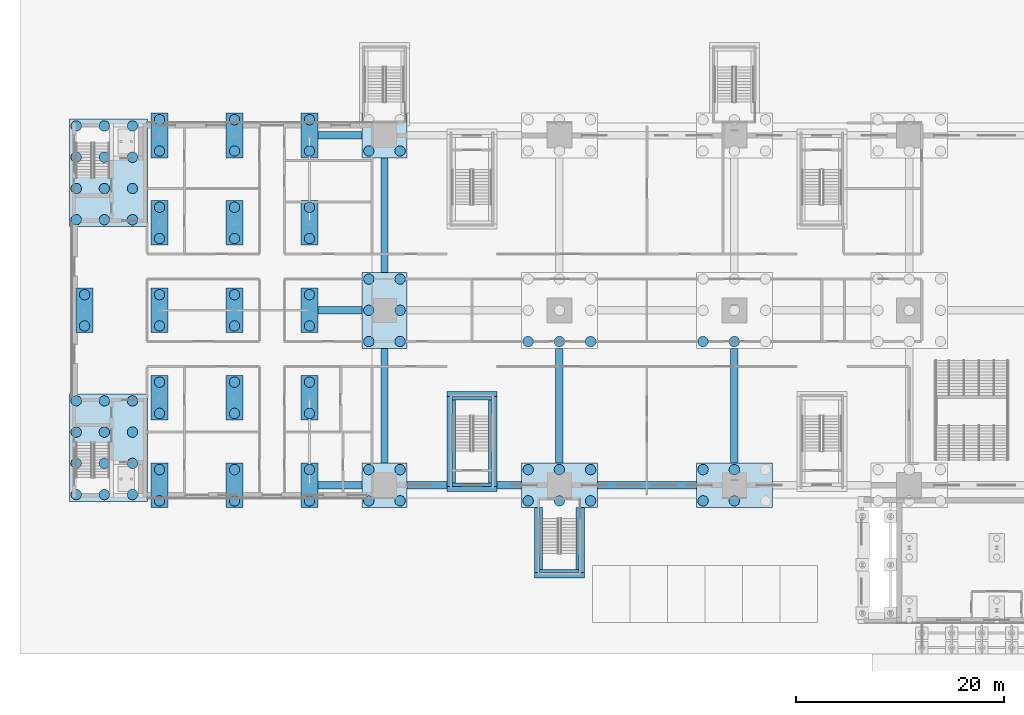
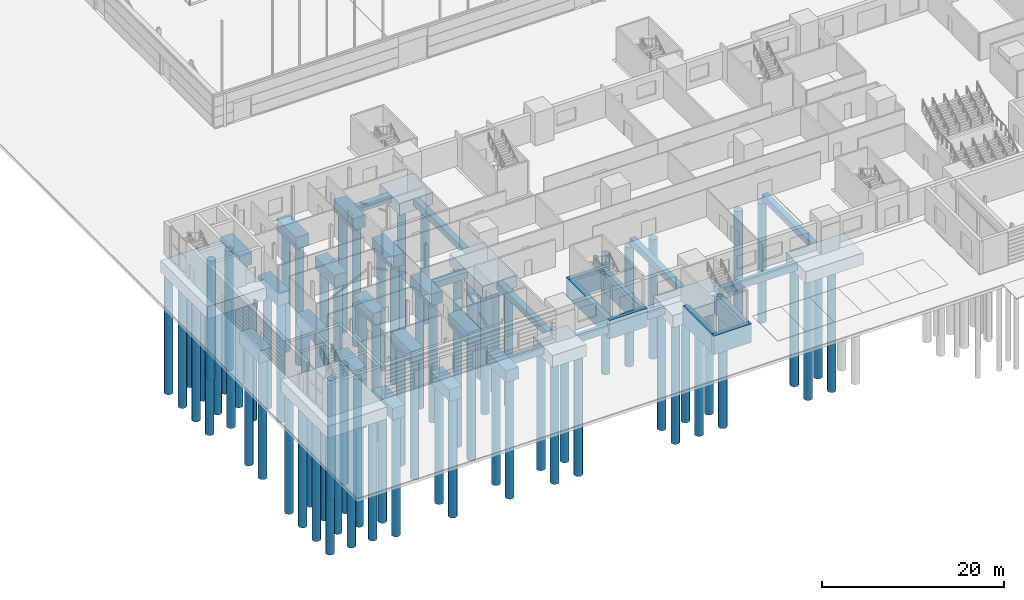
# One storey, part 1 of 139: 83 piles, 47 footings.
"""IFC4 building model written with IfcOpenShell, lengths in metres."""

from ifc_helpers import new_model, si_unit, direction, frame, origin, origin_2d, place, context, subcontext, project, spatial, polyline, rectangle, circle, outline, extrude, material, layer, layer_set, material_profile, profile_set, type_object, element, save


model = new_model("IFC4")

# Units and contexts
model_context = context("Model", 3, precision=1e-05, world=origin(), true_north=direction((0.0, 1.0)))
body_context = subcontext(model_context, "Body", "Model", "MODEL_VIEW")
ifc_project = project(units=[si_unit("LENGTHUNIT", "METRE"), si_unit("AREAUNIT", "SQUARE_METRE"), si_unit("VOLUMEUNIT", "CUBIC_METRE"), si_unit("PLANEANGLEUNIT", "RADIAN"), si_unit("MASSUNIT", "GRAM", prefix="KILO")], contexts=[model_context])

# Site, building, storey
site_placement = place(None, origin())
site = spatial("IfcSite", under=ifc_project, at=site_placement, CompositionType="ELEMENT")
building_placement = place(site_placement, origin())
building = spatial("IfcBuilding", under=site, at=building_placement, Name="Verrick Yard Athletic Hall", CompositionType="ELEMENT")
storey_placement = place(building_placement, origin())
storey = spatial("IfcBuildingStorey", under=building, at=storey_placement, Name="L00", CompositionType="ELEMENT", Elevation=0.0)

# Piles
ifc_material = material(Name="Concrete 35 MPa", Category="concrete")
pile_type = type_object("IfcPileType", Name="STR Bored pile 1000", PredefinedType="BORED", material=ifc_material)
for number, where, z_axis, x_axis, name in (
    (1, (38.5, 17.699951171875, -2.39990234375), (0.0, 0.0, -1.0), (1.0, 0.0, 0.0), "STR-PC-P1A-PL1"),
    (2, (41.5, 17.699951171875, -2.39990234375), (0.0, 0.0, -1.0), (1.0, 0.0, 0.0), "STR-PC-P1A-PL2"),
    (3, (38.5, 20.699951171875, -2.39990234375), (0.0, 0.0, -1.0), (1.0, 0.0, 0.0), "STR-PC-P1A-PL3"),
    (4, (41.5, 20.699951171875, -2.39990234375), (0.0, 0.0, -1.0), (1.0, 0.0, 0.0), "STR-PC-P1A-PL4"),
    (5, (38.5, 33.0, -2.39990234375), (0.0, 0.0, -1.0), (1.0, 0.0, 0.0), "STR-PC-P1B-PL1"),
    (6, (41.5, 33.0, -2.39990234375), (0.0, 0.0, -1.0), (1.0, 0.0, 0.0), "STR-PC-P1B-PL2"),
    (7, (38.5, 36.0, -2.39990234375), (0.0, 0.0, -1.0), (1.0, 0.0, 0.0), "STR-PC-P1B-PL3"),
    (8, (41.5, 36.0, -2.39990234375), (0.0, 0.0, -1.0), (1.0, 0.0, 0.0), "STR-PC-P1B-PL4"),
    (9, (38.5, 39.0, -2.39990234375), (0.0, 0.0, -1.0), (1.0, 0.0, 0.0), "STR-PC-P1B-PL5"),
    (10, (41.5, 39.0, -2.39990234375), (0.0, 0.0, -1.0), (1.0, 0.0, 0.0), "STR-PC-P1B-PL6"),
    (11, (38.5, 51.300048828125, -2.39990234375), (0.0, 0.0, -1.0), (1.0, 0.0, 0.0), "STR-PC-P1C-PL1"),
    (12, (41.5, 51.300048828125, -2.39990234375), (0.0, 0.0, -1.0), (1.0, 0.0, 0.0), "STR-PC-P1C-PL2"),
    (13, (53.800048828125, 17.699951171875, -2.39990234375), (0.0, 0.0, -1.0), (1.0, 0.0, 0.0), "STR-PC-P2A-PL1"),
    (14, (56.800048828125, 17.699951171875, -2.39990234375), (0.0, 0.0, -1.0), (1.0, 0.0, 0.0), "STR-PC-P2A-PL2"),
    (15, (59.800048828125, 17.699951171875, -2.39990234375), (0.0, 0.0, -1.0), (1.0, 0.0, 0.0), "STR-PC-P2A-PL3"),
    (16, (53.800048828125, 20.699951171875, -2.39990234375), (0.0, 0.0, -1.0), (1.0, 0.0, 0.0), "STR-PC-P2A-PL4"),
    (17, (56.800048828125, 20.699951171875, -2.39990234375), (0.0, 0.0, -1.0), (1.0, 0.0, 0.0), "STR-PC-P2A-PL5"),
    (18, (59.800048828125, 20.699951171875, -2.39990234375), (0.0, 0.0, -1.0), (1.0, 0.0, 0.0), "STR-PC-P2A-PL6"),
    (19, (53.800048828125, 33.0, -2.39990234375), (0.0, 0.0, -1.0), (1.0, 0.0, 0.0), "STR-PC-P2B-PL1"),
    (20, (56.800048828125, 33.0, -2.39990234375), (0.0, 0.0, -1.0), (1.0, 0.0, 0.0), "STR-PC-P2B-PL2"),
    (21, (59.800048828125, 33.0, -2.39990234375), (0.0, 0.0, -1.0), (1.0, 0.0, 0.0), "STR-PC-P2B-PL3"),
    (22, (70.60009765625, 17.699951171875, -2.39990234375), (0.0, 0.0, -1.0), (1.0, 0.0, 0.0), "STR-PC-P3A-PL1"),
    (23, (73.60009765625, 17.699951171875, -2.39990234375), (0.0, 0.0, -1.0), (1.0, 0.0, 0.0), "STR-PC-P3A-PL2"),
    (24, (70.60009765625, 20.699951171875, -2.39990234375), (0.0, 0.0, -1.0), (1.0, 0.0, 0.0), "STR-PC-P3A-PL4"),
    (25, (73.60009765625, 20.699951171875, -2.39990234375), (0.0, 0.0, -1.0), (1.0, 0.0, 0.0), "STR-PC-P3A-PL5"),
    (26, (70.60009765625, 33.0, -2.39990234375), (0.0, 0.0, -1.0), (1.0, 0.0, 0.0), "STR-PC-P3B-PL1"),
    (27, (73.60009765625, 33.0, -2.39990234375), (0.0, 0.0, -1.0), (1.0, 0.0, 0.0), "STR-PC-P3B-PL2"),
    (28, (10.39990234375, 18.300048828125, -2.39990234375), (0.0, 0.0, -1.0), (1.0, 0.0, 0.0), "STR-PC-CB1-PL1"),
    (29, (13.10009765625, 18.300048828125, -2.39990234375), (0.0, 0.0, -1.0), (1.0, 0.0, 0.0), "STR-PC-CB1-PL2"),
    (30, (15.800048828125, 18.300048828125, -2.39990234375), (0.0, 0.0, -1.0), (1.0, 0.0, 0.0), "STR-PC-CB1-PL3"),
    (31, (10.39990234375, 21.300048828125, -2.39990234375), (0.0, 0.0, -1.0), (1.0, 0.0, 0.0), "STR-PC-CB1-PL4"),
    (32, (13.10009765625, 21.300048828125, -2.39990234375), (0.0, 0.0, -1.0), (1.0, 0.0, 0.0), "STR-PC-CB1-PL5"),
    (33, (15.800048828125, 21.300048828125, -2.39990234375), (0.0, 0.0, -1.0), (1.0, 0.0, 0.0), "STR-PC-CB1-PL6"),
    (34, (10.39990234375, 24.300048828125, -2.39990234375), (0.0, 0.0, -1.0), (1.0, 0.0, 0.0), "STR-PC-CB1-PL7"),
    (35, (13.10009765625, 24.300048828125, -2.39990234375), (0.0, 0.0, -1.0), (1.0, 0.0, 0.0), "STR-PC-CB1-PL8"),
    (36, (15.800048828125, 24.300048828125, -2.39990234375), (0.0, 0.0, -1.0), (1.0, 0.0, 0.0), "STR-PC-CB1-PL9"),
    (37, (10.39990234375, 27.300048828125, -2.39990234375), (0.0, 0.0, -1.0), (1.0, 0.0, 0.0), "STR-PC-CB1-PL10"),
    (38, (13.10009765625, 27.300048828125, -2.39990234375), (0.0, 0.0, -1.0), (1.0, 0.0, 0.0), "STR-PC-CB1-PL11"),
    (39, (15.800048828125, 27.300048828125, -2.39990234375), (0.0, 0.0, -1.0), (1.0, 0.0, 0.0), "STR-PC-CB1-PL12"),
    (40, (10.39990234375, 44.699951171875, -2.39990234375), (0.0, 0.0, -1.0), (1.0, 0.0, 0.0), "STR-PC-CB2-PL1"),
    (41, (13.10009765625, 44.699951171875, -2.39990234375), (0.0, 0.0, -1.0), (1.0, 0.0, 0.0), "STR-PC-CB2-PL2"),
    (42, (15.800048828125, 44.699951171875, -2.39990234375), (0.0, 0.0, -1.0), (1.0, 0.0, 0.0), "STR-PC-CB2-PL3"),
    (43, (10.39990234375, 47.699951171875, -2.39990234375), (0.0, 0.0, -1.0), (1.0, 0.0, 0.0), "STR-PC-CB2-PL4"),
    (44, (13.10009765625, 47.699951171875, -2.39990234375), (0.0, 0.0, -1.0), (1.0, 0.0, 0.0), "STR-PC-CB2-PL5"),
    (45, (15.800048828125, 47.699951171875, -2.39990234375), (0.0, 0.0, -1.0), (1.0, 0.0, 0.0), "STR-PC-CB2-PL6"),
    (46, (10.39990234375, 50.699951171875, -2.39990234375), (0.0, 0.0, -1.0), (1.0, 0.0, 0.0), "STR-PC-CB2-PL7"),
    (47, (13.10009765625, 50.699951171875, -2.39990234375), (0.0, 0.0, -1.0), (1.0, 0.0, 0.0), "STR-PC-CB2-PL8"),
    (48, (15.800048828125, 50.699951171875, -2.39990234375), (0.0, 0.0, -1.0), (1.0, 0.0, 0.0), "STR-PC-CB2-PL9"),
    (49, (10.39990234375, 53.699951171875, -2.39990234375), (0.0, 0.0, -1.0), (1.0, 0.0, 0.0), "STR-PC-CB2-PL10"),
    (50, (13.10009765625, 53.699951171875, -2.39990234375), (0.0, 0.0, -1.0), (1.0, 0.0, 0.0), "STR-PC-CB2-PL11"),
    (51, (15.800048828125, 53.699951171875, -2.39990234375), (0.0, 0.0, -1.0), (1.0, 0.0, 0.0), "STR-PC-CB2-PL12"),
    (52, (11.199951171875, 34.5, -2.39990234375), (0.0, 0.0, -1.0), (1.0, 0.0, 0.0), "STR-PC-WC13-PL1"),
    (53, (11.199951171875, 37.5, -2.39990234375), (0.0, 0.0, -1.0), (1.0, 0.0, 0.0), "STR-PC-WC13-PL2"),
    (54, (18.39990234375, 17.699951171875, -2.39990234375), (0.0, 0.0, -1.0), (1.0, 0.0, 0.0), "STR-PC-WC21-PL1"),
    (55, (18.39990234375, 20.699951171875, -2.39990234375), (0.0, 0.0, -1.0), (1.0, 0.0, 0.0), "STR-PC-WC21-PL2"),
    (56, (18.39990234375, 26.10009765625, -2.39990234375), (0.0, 0.0, -1.0), (1.0, 0.0, 0.0), "STR-PC-WC22-PL1"),
    (57, (18.39990234375, 29.10009765625, -2.39990234375), (0.0, 0.0, -1.0), (1.0, 0.0, 0.0), "STR-PC-WC22-PL2"),
    (58, (18.39990234375, 34.5, -2.39990234375), (0.0, 0.0, -1.0), (1.0, 0.0, 0.0), "STR-PC-WC23-PL1"),
    (59, (18.39990234375, 37.5, -2.39990234375), (0.0, 0.0, -1.0), (1.0, 0.0, 0.0), "STR-PC-WC23-PL2"),
    (60, (18.39990234375, 42.89990234375, -2.39990234375), (0.0, 0.0, -1.0), (1.0, 0.0, 0.0), "STR-PC-WC24-PL1"),
    (61, (18.39990234375, 45.89990234375, -2.39990234375), (0.0, 0.0, -1.0), (1.0, 0.0, 0.0), "STR-PC-WC24-PL2"),
    (62, (18.39990234375, 51.300048828125, -2.39990234375), (0.0, 0.0, -1.0), (1.0, 0.0, 0.0), "STR-PC-WC25-PL1"),
    (63, (18.39990234375, 54.300048828125, -2.39990234375), (0.0, 0.0, -1.0), (1.0, 0.0, 0.0), "STR-PC-WC25-PL2"),
    (64, (25.60009765625, 17.699951171875, -2.39990234375), (0.0, 0.0, -1.0), (1.0, 0.0, 0.0), "STR-PC-WC31-PL1"),
    (65, (25.60009765625, 20.699951171875, -2.39990234375), (0.0, 0.0, -1.0), (1.0, 0.0, 0.0), "STR-PC-WC31-PL2"),
    (66, (25.60009765625, 26.10009765625, -2.39990234375), (0.0, 0.0, -1.0), (1.0, 0.0, 0.0), "STR-PC-WC32-PL1"),
    (67, (25.60009765625, 29.10009765625, -2.39990234375), (0.0, 0.0, -1.0), (1.0, 0.0, 0.0), "STR-PC-WC32-PL2"),
    (68, (25.60009765625, 34.5, -2.39990234375), (0.0, 0.0, -1.0), (1.0, 0.0, 0.0), "STR-PC-WC33-PL1"),
    (69, (25.60009765625, 37.5, -2.39990234375), (0.0, 0.0, -1.0), (1.0, 0.0, 0.0), "STR-PC-WC33-PL2"),
    (70, (25.60009765625, 42.89990234375, -2.39990234375), (0.0, 0.0, -1.0), (1.0, 0.0, 0.0), "STR-PC-WC34-PL1"),
    (71, (25.60009765625, 45.89990234375, -2.39990234375), (0.0, 0.0, -1.0), (1.0, 0.0, 0.0), "STR-PC-WC34-PL2"),
    (72, (25.60009765625, 51.300048828125, -2.39990234375), (0.0, 0.0, -1.0), (1.0, 0.0, 0.0), "STR-PC-WC35-PL1"),
    (73, (25.60009765625, 54.300048828125, -2.39990234375), (0.0, 0.0, -1.0), (1.0, 0.0, 0.0), "STR-PC-WC35-PL2"),
    (74, (32.800048828125, 17.699951171875, -2.39990234375), (0.0, 0.0, -1.0), (1.0, 0.0, 0.0), "STR-PC-WC41-PL1"),
    (75, (32.800048828125, 20.699951171875, -2.39990234375), (0.0, 0.0, -1.0), (1.0, 0.0, 0.0), "STR-PC-WC41-PL2"),
    (76, (32.800048828125, 26.10009765625, -2.39990234375), (0.0, 0.0, -1.0), (1.0, 0.0, 0.0), "STR-PC-WC42-PL1"),
    (77, (32.800048828125, 29.10009765625, -2.39990234375), (0.0, 0.0, -1.0), (1.0, 0.0, 0.0), "STR-PC-WC42-PL2"),
    (78, (32.800048828125, 34.5, -2.39990234375), (0.0, 0.0, -1.0), (1.0, 0.0, 0.0), "STR-PC-WC43-PL1"),
    (79, (32.800048828125, 37.5, -2.39990234375), (0.0, 0.0, -1.0), (1.0, 0.0, 0.0), "STR-PC-WC43-PL2"),
    (80, (32.800048828125, 42.89990234375, -2.39990234375), (0.0, 0.0, -1.0), (1.0, 0.0, 0.0), "STR-PC-WC44-PL1"),
    (81, (32.800048828125, 45.89990234375, -2.39990234375), (0.0, 0.0, -1.0), (1.0, 0.0, 0.0), "STR-PC-WC44-PL2"),
    (82, (32.800048828125, 51.300048828125, -2.39990234375), (0.0, 0.0, -1.0), (1.0, 0.0, 0.0), "STR-PC-WC45-PL1"),
    (83, (32.800048828125, 54.300048828125, -2.39990234375), (0.0, 0.0, -1.0), (1.0, 0.0, 0.0), "STR-PC-WC45-PL2"),
):
    element("IfcPile", number, at=place(storey_placement, frame(where, z_axis=z_axis, x_axis=x_axis)), inside=storey, type_object=pile_type, Name=name, PredefinedType="BORED", context=body_context, shape_type="SweptSolid", body=[
        extrude(circle(Radius=0.5, at=origin_2d()), origin(), (0.0, 0.0, 1.0), 16.0),
    ])

# Footings
ifc_material_profile_1 = material_profile(ifc_material, rectangle(XDim=0.699951171875, YDim=0.89990234375, at=origin_2d()), Name="STR Grade beam F1")
ifc_profile_set_1 = profile_set([ifc_material_profile_1], Name="Concrete 35 MPa")
footing_type_1 = type_object("IfcFootingType", Name="STR Grade beam F1", PredefinedType="FOOTING_BEAM", material=ifc_profile_set_1)
footing_1_placement = place(storey_placement, frame((42.14990234375, 19.199951171875, -1.35009765625), z_axis=(1.0, 0.0, 0.0), x_axis=(0.0, 1.0, 0.0)))
element("IfcFooting", 84, at=footing_1_placement, inside=storey, type_object=footing_type_1, Name="STR-GB-XP1A", PredefinedType="FOOTING_BEAM", context=body_context, shape_type="SweptSolid", body=[
    extrude(rectangle(XDim=0.699951171875, YDim=0.89990234375, at=origin_2d()), origin(), (0.0, 0.0, 1.0), 3.85009765625),
])
footing_2_placement = place(storey_placement, frame((50.800048828125, 19.199951171875, -1.35009765625), z_axis=(1.0, 0.0, 0.0), x_axis=(0.0, 1.0, 0.0)))
element("IfcFooting", 85, at=footing_2_placement, inside=storey, type_object=footing_type_1, Name="STR-GB-XP1A-2", PredefinedType="FOOTING_BEAM", context=body_context, shape_type="SweptSolid", body=[
    extrude(rectangle(XDim=0.699951171875, YDim=0.89990234375, at=origin_2d()), origin(), (0.0, 0.0, 1.0), 2.349853515625),
])
footing_3_placement = place(storey_placement, frame((60.449951171875, 19.199951171875, -1.35009765625), z_axis=(1.0, 0.0, 0.0), x_axis=(0.0, 1.0, 0.0)))
element("IfcFooting", 86, at=footing_3_placement, inside=storey, type_object=footing_type_1, Name="STR-GB-XP2A", PredefinedType="FOOTING_BEAM", context=body_context, shape_type="SweptSolid", body=[
    extrude(rectangle(XDim=0.699951171875, YDim=0.89990234375, at=origin_2d()), origin(), (0.0, 0.0, 1.0), 9.5),
])
for number, where, z_axis, x_axis, name in (
    (87, (40.0, 21.35009765625, -1.35009765625), (0.0, 1.0, 0.0), (-1.0, 0.0, 0.0), "STR-GB-YP1A"),
    (88, (40.0, 39.64990234375, -1.35009765625), (0.0, 1.0, 0.0), (-1.0, 0.0, 0.0), "STR-GB-YP1B"),
    (89, (56.800048828125, 21.35009765625, -1.35009765625), (0.0, 1.0, 0.0), (-1.0, 0.0, 0.0), "STR-GB-YP2A"),
    (90, (73.60009765625, 21.35009765625, -1.35009765625), (0.0, 1.0, 0.0), (-1.0, 0.0, 0.0), "STR-GB-YP3A"),
):
    element("IfcFooting", number, at=place(storey_placement, frame(where, z_axis=z_axis, x_axis=x_axis)), inside=storey, type_object=footing_type_1, Name=name, PredefinedType="FOOTING_BEAM", context=body_context, shape_type="SweptSolid", body=[
        extrude(rectangle(XDim=0.699951171875, YDim=0.89990234375, at=origin_2d()), origin(), (0.0, 0.0, 1.0), 11.0),
    ])
for number, where, z_axis, x_axis, name in (
    (91, (33.60009765625, 19.199951171875, -1.35009765625), (1.0, 0.0, 0.0), (0.0, 1.0, 0.0), "STR-GB-WWC41"),
    (92, (33.60009765625, 36.0, -1.35009765625), (1.0, 0.0, 0.0), (0.0, 1.0, 0.0), "STR-GB-WWC43"),
    (93, (33.60009765625, 52.800048828125, -1.35009765625), (1.0, 0.0, 0.0), (0.0, 1.0, 0.0), "STR-GB-WWC45"),
):
    element("IfcFooting", number, at=place(storey_placement, frame(where, z_axis=z_axis, x_axis=x_axis)), inside=storey, type_object=footing_type_1, Name=name, PredefinedType="FOOTING_BEAM", context=body_context, shape_type="SweptSolid", body=[
        extrude(rectangle(XDim=0.699951171875, YDim=0.89990234375, at=origin_2d()), origin(), (0.0, 0.0, 1.0), 4.25),
    ])
ifc_layer_1 = layer(ifc_material, 1.60009765625)
ifc_layer_set_1 = layer_set([ifc_layer_1], Name="STR Pile cap corner PC3")
footing_type_2 = type_object("IfcFootingType", Name="STR Pile cap corner PC3", PredefinedType="PILE_CAP", material=ifc_layer_set_1)
footing_4_placement = place(storey_placement, frame((0.0, 0.0, -2.5)))
element("IfcFooting", 94, at=footing_4_placement, inside=storey, type_object=footing_type_2, Name="STR-PC-P1A", PredefinedType="PILE_CAP", context=body_context, shape_type="SweptSolid", body=[
    extrude(outline(polyline([(37.85009765625, 17.050048828125), (42.14990234375, 17.050048828125), (42.14990234375, 21.35009765625), (37.85009765625, 21.35009765625), (37.85009765625, 17.050048828125)])), origin(), (0.0, 0.0, 1.0), 1.60009765625),
])
footing_5_placement = place(storey_placement, frame((0.0, 0.0, -2.5)))
element("IfcFooting", 95, at=footing_5_placement, inside=storey, type_object=footing_type_2, Name="STR-PC-P1C", PredefinedType="PILE_CAP", context=body_context, shape_type="SweptSolid", body=[
    extrude(outline(polyline([(37.85009765625, 50.64990234375), (42.14990234375, 50.64990234375), (42.14990234375, 54.949951171875), (37.85009765625, 54.949951171875), (37.85009765625, 50.64990234375)])), origin(), (0.0, 0.0, 1.0), 1.60009765625),
])
ifc_layer_2 = layer(ifc_material, 1.60009765625)
ifc_layer_set_2 = layer_set([ifc_layer_2], Name="STR Pile cap edge PC2")
footing_type_3 = type_object("IfcFootingType", Name="STR Pile cap edge PC2", PredefinedType="PILE_CAP", material=ifc_layer_set_2)
footing_6_placement = place(storey_placement, frame((0.0, 0.0, -2.5)))
element("IfcFooting", 96, at=footing_6_placement, inside=storey, type_object=footing_type_3, Name="STR-PC-P2A", PredefinedType="PILE_CAP", context=body_context, shape_type="SweptSolid", body=[
    extrude(outline(polyline([(53.14990234375, 17.050048828125), (60.449951171875, 17.050048828125), (60.449951171875, 21.35009765625), (53.14990234375, 21.35009765625), (53.14990234375, 17.050048828125)])), origin(), (0.0, 0.0, 1.0), 1.60009765625),
])
footing_7_placement = place(storey_placement, frame((0.0, 0.0, -2.5)))
element("IfcFooting", 97, at=footing_7_placement, inside=storey, type_object=footing_type_3, Name="STR-PC-P3A", PredefinedType="PILE_CAP", context=body_context, shape_type="SweptSolid", body=[
    extrude(outline(polyline([(69.949951171875, 17.050048828125), (77.25, 17.050048828125), (77.25, 21.35009765625), (69.949951171875, 21.35009765625), (69.949951171875, 17.050048828125)])), origin(), (0.0, 0.0, 1.0), 1.60009765625),
])
ifc_layer_3 = layer(ifc_material, 1.60009765625)
ifc_layer_set_3 = layer_set([ifc_layer_3], Name="STR Pile cap edge turned PC10")
footing_type_4 = type_object("IfcFootingType", Name="STR Pile cap edge turned PC10", PredefinedType="PILE_CAP", material=ifc_layer_set_3)
footing_8_placement = place(storey_placement, frame((0.0, 0.0, -2.5)))
element("IfcFooting", 98, at=footing_8_placement, inside=storey, type_object=footing_type_4, Name="STR-PC-P1B", PredefinedType="PILE_CAP", context=body_context, shape_type="SweptSolid", body=[
    extrude(outline(polyline([(37.85009765625, 32.35009765625), (42.14990234375, 32.35009765625), (42.14990234375, 39.64990234375), (37.85009765625, 39.64990234375), (37.85009765625, 32.35009765625)])), origin(), (0.0, 0.0, 1.0), 1.60009765625),
])
ifc_layer_4 = layer(ifc_material, 1.60009765625)
ifc_layer_set_4 = layer_set([ifc_layer_4], Name="STR Pile cap raft PC5")
footing_type_5 = type_object("IfcFootingType", Name="STR Pile cap raft PC5", PredefinedType="PILE_CAP", material=ifc_layer_set_4)
footing_9_placement = place(storey_placement, frame((0.0, 0.0, -2.5)))
element("IfcFooting", 99, at=footing_9_placement, inside=storey, type_object=footing_type_5, Name="STR-PC-CB1", PredefinedType="PILE_CAP", context=body_context, shape_type="SweptSolid", body=[
    extrude(outline(polyline([(9.75, 17.64990234375), (17.25, 17.64990234375), (17.25, 27.949951171875), (9.75, 27.949951171875), (9.75, 17.64990234375)])), origin(), (0.0, 0.0, 1.0), 1.60009765625),
])
footing_10_placement = place(storey_placement, frame((0.0, 0.0, -2.5)))
element("IfcFooting", 100, at=footing_10_placement, inside=storey, type_object=footing_type_5, Name="STR-PC-CB2", PredefinedType="PILE_CAP", context=body_context, shape_type="SweptSolid", body=[
    extrude(outline(polyline([(9.75, 44.050048828125), (17.25, 44.050048828125), (17.25, 54.35009765625), (9.75, 54.35009765625), (9.75, 44.050048828125)])), origin(), (0.0, 0.0, 1.0), 1.60009765625),
])
ifc_layer_5 = layer(ifc_material, 1.60009765625)
ifc_layer_set_5 = layer_set([ifc_layer_5], Name="STR Pile cap wing column PC4")
footing_type_6 = type_object("IfcFootingType", Name="STR Pile cap wing column PC4", PredefinedType="PILE_CAP", material=ifc_layer_set_5)
footing_11_placement = place(storey_placement, frame((0.0, 0.0, -2.5)))
element("IfcFooting", 101, at=footing_11_placement, inside=storey, type_object=footing_type_6, Name="STR-PC-WC13", PredefinedType="PILE_CAP", context=body_context, shape_type="SweptSolid", body=[
    extrude(outline(polyline([(10.39990234375, 33.85009765625), (12.0, 33.85009765625), (12.0, 38.14990234375), (10.39990234375, 38.14990234375), (10.39990234375, 33.85009765625)])), origin(), (0.0, 0.0, 1.0), 1.60009765625),
])
footing_12_placement = place(storey_placement, frame((0.0, 0.0, -2.5)))
element("IfcFooting", 102, at=footing_12_placement, inside=storey, type_object=footing_type_6, Name="STR-PC-WC21", PredefinedType="PILE_CAP", context=body_context, shape_type="SweptSolid", body=[
    extrude(outline(polyline([(17.60009765625, 17.050048828125), (19.199951171875, 17.050048828125), (19.199951171875, 21.35009765625), (17.60009765625, 21.35009765625), (17.60009765625, 17.050048828125)])), origin(), (0.0, 0.0, 1.0), 1.60009765625),
])
footing_13_placement = place(storey_placement, frame((0.0, 0.0, -2.5)))
element("IfcFooting", 103, at=footing_13_placement, inside=storey, type_object=footing_type_6, Name="STR-PC-WC22", PredefinedType="PILE_CAP", context=body_context, shape_type="SweptSolid", body=[
    extrude(outline(polyline([(17.60009765625, 25.449951171875), (19.199951171875, 25.449951171875), (19.199951171875, 29.75), (17.60009765625, 29.75), (17.60009765625, 25.449951171875)])), origin(), (0.0, 0.0, 1.0), 1.60009765625),
])
footing_14_placement = place(storey_placement, frame((0.0, 0.0, -2.5)))
element("IfcFooting", 104, at=footing_14_placement, inside=storey, type_object=footing_type_6, Name="STR-PC-WC23", PredefinedType="PILE_CAP", context=body_context, shape_type="SweptSolid", body=[
    extrude(outline(polyline([(17.60009765625, 33.85009765625), (19.199951171875, 33.85009765625), (19.199951171875, 38.14990234375), (17.60009765625, 38.14990234375), (17.60009765625, 33.85009765625)])), origin(), (0.0, 0.0, 1.0), 1.60009765625),
])
footing_15_placement = place(storey_placement, frame((0.0, 0.0, -2.5)))
element("IfcFooting", 105, at=footing_15_placement, inside=storey, type_object=footing_type_6, Name="STR-PC-WC24", PredefinedType="PILE_CAP", context=body_context, shape_type="SweptSolid", body=[
    extrude(outline(polyline([(17.60009765625, 42.25), (19.199951171875, 42.25), (19.199951171875, 46.550048828125), (17.60009765625, 46.550048828125), (17.60009765625, 42.25)])), origin(), (0.0, 0.0, 1.0), 1.60009765625),
])
footing_16_placement = place(storey_placement, frame((0.0, 0.0, -2.5)))
element("IfcFooting", 106, at=footing_16_placement, inside=storey, type_object=footing_type_6, Name="STR-PC-WC25", PredefinedType="PILE_CAP", context=body_context, shape_type="SweptSolid", body=[
    extrude(outline(polyline([(17.60009765625, 50.64990234375), (19.199951171875, 50.64990234375), (19.199951171875, 54.949951171875), (17.60009765625, 54.949951171875), (17.60009765625, 50.64990234375)])), origin(), (0.0, 0.0, 1.0), 1.60009765625),
])
footing_17_placement = place(storey_placement, frame((0.0, 0.0, -2.5)))
element("IfcFooting", 107, at=footing_17_placement, inside=storey, type_object=footing_type_6, Name="STR-PC-WC31", PredefinedType="PILE_CAP", context=body_context, shape_type="SweptSolid", body=[
    extrude(outline(polyline([(24.800048828125, 17.050048828125), (26.39990234375, 17.050048828125), (26.39990234375, 21.35009765625), (24.800048828125, 21.35009765625), (24.800048828125, 17.050048828125)])), origin(), (0.0, 0.0, 1.0), 1.60009765625),
])
footing_18_placement = place(storey_placement, frame((0.0, 0.0, -2.5)))
element("IfcFooting", 108, at=footing_18_placement, inside=storey, type_object=footing_type_6, Name="STR-PC-WC32", PredefinedType="PILE_CAP", context=body_context, shape_type="SweptSolid", body=[
    extrude(outline(polyline([(24.800048828125, 25.449951171875), (26.39990234375, 25.449951171875), (26.39990234375, 29.75), (24.800048828125, 29.75), (24.800048828125, 25.449951171875)])), origin(), (0.0, 0.0, 1.0), 1.60009765625),
])
footing_19_placement = place(storey_placement, frame((0.0, 0.0, -2.5)))
element("IfcFooting", 109, at=footing_19_placement, inside=storey, type_object=footing_type_6, Name="STR-PC-WC33", PredefinedType="PILE_CAP", context=body_context, shape_type="SweptSolid", body=[
    extrude(outline(polyline([(24.800048828125, 33.85009765625), (26.39990234375, 33.85009765625), (26.39990234375, 38.14990234375), (24.800048828125, 38.14990234375), (24.800048828125, 33.85009765625)])), origin(), (0.0, 0.0, 1.0), 1.60009765625),
])
footing_20_placement = place(storey_placement, frame((0.0, 0.0, -2.5)))
element("IfcFooting", 110, at=footing_20_placement, inside=storey, type_object=footing_type_6, Name="STR-PC-WC34", PredefinedType="PILE_CAP", context=body_context, shape_type="SweptSolid", body=[
    extrude(outline(polyline([(24.800048828125, 42.25), (26.39990234375, 42.25), (26.39990234375, 46.550048828125), (24.800048828125, 46.550048828125), (24.800048828125, 42.25)])), origin(), (0.0, 0.0, 1.0), 1.60009765625),
])
footing_21_placement = place(storey_placement, frame((0.0, 0.0, -2.5)))
element("IfcFooting", 111, at=footing_21_placement, inside=storey, type_object=footing_type_6, Name="STR-PC-WC35", PredefinedType="PILE_CAP", context=body_context, shape_type="SweptSolid", body=[
    extrude(outline(polyline([(24.800048828125, 50.64990234375), (26.39990234375, 50.64990234375), (26.39990234375, 54.949951171875), (24.800048828125, 54.949951171875), (24.800048828125, 50.64990234375)])), origin(), (0.0, 0.0, 1.0), 1.60009765625),
])
footing_22_placement = place(storey_placement, frame((0.0, 0.0, -2.5)))
element("IfcFooting", 112, at=footing_22_placement, inside=storey, type_object=footing_type_6, Name="STR-PC-WC41", PredefinedType="PILE_CAP", context=body_context, shape_type="SweptSolid", body=[
    extrude(outline(polyline([(32.0, 17.050048828125), (33.60009765625, 17.050048828125), (33.60009765625, 21.35009765625), (32.0, 21.35009765625), (32.0, 17.050048828125)])), origin(), (0.0, 0.0, 1.0), 1.60009765625),
])
footing_23_placement = place(storey_placement, frame((0.0, 0.0, -2.5)))
element("IfcFooting", 113, at=footing_23_placement, inside=storey, type_object=footing_type_6, Name="STR-PC-WC42", PredefinedType="PILE_CAP", context=body_context, shape_type="SweptSolid", body=[
    extrude(outline(polyline([(32.0, 25.449951171875), (33.60009765625, 25.449951171875), (33.60009765625, 29.75), (32.0, 29.75), (32.0, 25.449951171875)])), origin(), (0.0, 0.0, 1.0), 1.60009765625),
])
footing_24_placement = place(storey_placement, frame((0.0, 0.0, -2.5)))
element("IfcFooting", 114, at=footing_24_placement, inside=storey, type_object=footing_type_6, Name="STR-PC-WC43", PredefinedType="PILE_CAP", context=body_context, shape_type="SweptSolid", body=[
    extrude(outline(polyline([(32.0, 33.85009765625), (33.60009765625, 33.85009765625), (33.60009765625, 38.14990234375), (32.0, 38.14990234375), (32.0, 33.85009765625)])), origin(), (0.0, 0.0, 1.0), 1.60009765625),
])
footing_25_placement = place(storey_placement, frame((0.0, 0.0, -2.5)))
element("IfcFooting", 115, at=footing_25_placement, inside=storey, type_object=footing_type_6, Name="STR-PC-WC44", PredefinedType="PILE_CAP", context=body_context, shape_type="SweptSolid", body=[
    extrude(outline(polyline([(32.0, 42.25), (33.60009765625, 42.25), (33.60009765625, 46.550048828125), (32.0, 46.550048828125), (32.0, 42.25)])), origin(), (0.0, 0.0, 1.0), 1.60009765625),
])
footing_26_placement = place(storey_placement, frame((0.0, 0.0, -2.5)))
element("IfcFooting", 116, at=footing_26_placement, inside=storey, type_object=footing_type_6, Name="STR-PC-WC45", PredefinedType="PILE_CAP", context=body_context, shape_type="SweptSolid", body=[
    extrude(outline(polyline([(32.0, 50.64990234375), (33.60009765625, 50.64990234375), (33.60009765625, 54.949951171875), (32.0, 54.949951171875), (32.0, 50.64990234375)])), origin(), (0.0, 0.0, 1.0), 1.60009765625),
])
ifc_material_profile_2 = material_profile(ifc_material, rectangle(XDim=0.5, YDim=2.5, at=origin_2d()), Name="STR Wall strip footing F2")
ifc_profile_set_2 = profile_set([ifc_material_profile_2], Name="Concrete 35 MPa")
footing_type_7 = type_object("IfcFootingType", Name="STR Wall strip footing F2", PredefinedType="STRIP_FOOTING", material=ifc_profile_set_2)
footing_27_placement = place(storey_placement, frame((0.0, 0.0, -2.5)))
element("IfcFooting", 117, at=footing_27_placement, inside=storey, type_object=footing_type_7, Name="STR-WF-DT-S1-1", PredefinedType="STRIP_FOOTING", context=body_context, shape_type="SweptSolid", body=[
    extrude(outline(polyline([(54.39990234375, 10.300048828125), (59.199951171875, 10.300048828125), (59.199951171875, 10.800048828125), (54.39990234375, 10.800048828125), (54.39990234375, 10.300048828125)])), origin(), (0.0, 0.0, 1.0), 2.5),
])
footing_28_placement = place(storey_placement, frame((0.0, 0.0, -2.5)))
element("IfcFooting", 118, at=footing_28_placement, inside=storey, type_object=footing_type_7, Name="STR-WF-DT-S1-2", PredefinedType="STRIP_FOOTING", context=body_context, shape_type="SweptSolid", body=[
    extrude(outline(polyline([(54.39990234375, 10.800048828125), (54.89990234375, 10.800048828125), (54.89990234375, 17.050048828125), (54.39990234375, 17.050048828125), (54.39990234375, 10.800048828125)])), origin(), (0.0, 0.0, 1.0), 2.5),
])
footing_29_placement = place(storey_placement, frame((0.0, 0.0, -2.5)))
element("IfcFooting", 119, at=footing_29_placement, inside=storey, type_object=footing_type_7, Name="STR-WF-DT-S1-3", PredefinedType="STRIP_FOOTING", context=body_context, shape_type="SweptSolid", body=[
    extrude(outline(polyline([(58.699951171875, 10.800048828125), (59.199951171875, 10.800048828125), (59.199951171875, 17.050048828125), (58.699951171875, 17.050048828125), (58.699951171875, 10.800048828125)])), origin(), (0.0, 0.0, 1.0), 2.5),
])
footing_30_placement = place(storey_placement, frame((0.0, 0.0, -2.5)))
element("IfcFooting", 120, at=footing_30_placement, inside=storey, type_object=footing_type_7, Name="STR-WF-PS-S1-1", PredefinedType="STRIP_FOOTING", context=body_context, shape_type="SweptSolid", body=[
    extrude(outline(polyline([(46.0, 18.60009765625), (50.800048828125, 18.60009765625), (50.800048828125, 19.10009765625), (46.0, 19.10009765625), (46.0, 18.60009765625)])), origin(), (0.0, 0.0, 1.0), 2.5),
])
footing_31_placement = place(storey_placement, frame((0.0, 0.0, -2.5)))
element("IfcFooting", 121, at=footing_31_placement, inside=storey, type_object=footing_type_7, Name="STR-WF-PS-S1-2", PredefinedType="STRIP_FOOTING", context=body_context, shape_type="SweptSolid", body=[
    extrude(outline(polyline([(46.0, 19.10009765625), (46.5, 19.10009765625), (46.5, 27.699951171875), (46.0, 27.699951171875), (46.0, 19.10009765625)])), origin(), (0.0, 0.0, 1.0), 2.5),
])
footing_32_placement = place(storey_placement, frame((0.0, 0.0, -2.5)))
element("IfcFooting", 122, at=footing_32_placement, inside=storey, type_object=footing_type_7, Name="STR-WF-PS-S1-3", PredefinedType="STRIP_FOOTING", context=body_context, shape_type="SweptSolid", body=[
    extrude(outline(polyline([(50.300048828125, 19.10009765625), (50.800048828125, 19.10009765625), (50.800048828125, 27.699951171875), (50.300048828125, 27.699951171875), (50.300048828125, 19.10009765625)])), origin(), (0.0, 0.0, 1.0), 2.5),
])
footing_33_placement = place(storey_placement, frame((0.0, 0.0, -2.5)))
element("IfcFooting", 123, at=footing_33_placement, inside=storey, type_object=footing_type_7, Name="STR-WF-PS-S1-4", PredefinedType="STRIP_FOOTING", context=body_context, shape_type="SweptSolid", body=[
    extrude(outline(polyline([(46.0, 27.699951171875), (50.800048828125, 27.699951171875), (50.800048828125, 28.199951171875), (46.0, 28.199951171875), (46.0, 27.699951171875)])), origin(), (0.0, 0.0, 1.0), 2.5),
])
ifc_material_profile_3 = material_profile(ifc_material, rectangle(XDim=0.300048828125, YDim=2.300048828125, at=origin_2d()), Name="STR Wall strip footing F3")
ifc_profile_set_3 = profile_set([ifc_material_profile_3], Name="Concrete 35 MPa")
footing_type_8 = type_object("IfcFootingType", Name="STR Wall strip footing F3", PredefinedType="STRIP_FOOTING", material=ifc_profile_set_3)
footing_34_placement = place(storey_placement, frame((0.0, 0.0, -2.5)))
element("IfcFooting", 124, at=footing_34_placement, inside=storey, type_object=footing_type_8, Name="STR-WF-DT-S1-IN-1", PredefinedType="STRIP_FOOTING", context=body_context, shape_type="SweptSolid", body=[
    extrude(outline(polyline([(54.89990234375, 10.800048828125), (58.699951171875, 10.800048828125), (58.699951171875, 11.10009765625), (54.89990234375, 11.10009765625), (54.89990234375, 10.800048828125)])), origin(), (0.0, 0.0, 1.0), 2.300048828125),
])
footing_35_placement = place(storey_placement, frame((0.0, 0.0, -2.5)))
element("IfcFooting", 125, at=footing_35_placement, inside=storey, type_object=footing_type_8, Name="STR-WF-DT-S1-IN-2", PredefinedType="STRIP_FOOTING", context=body_context, shape_type="SweptSolid", body=[
    extrude(outline(polyline([(54.89990234375, 11.10009765625), (55.199951171875, 11.10009765625), (55.199951171875, 17.050048828125), (54.89990234375, 17.050048828125), (54.89990234375, 11.10009765625)])), origin(), (0.0, 0.0, 1.0), 2.300048828125),
])
footing_36_placement = place(storey_placement, frame((0.0, 0.0, -2.5)))
element("IfcFooting", 126, at=footing_36_placement, inside=storey, type_object=footing_type_8, Name="STR-WF-DT-S1-IN-3", PredefinedType="STRIP_FOOTING", context=body_context, shape_type="SweptSolid", body=[
    extrude(outline(polyline([(58.39990234375, 11.10009765625), (58.699951171875, 11.10009765625), (58.699951171875, 17.050048828125), (58.39990234375, 17.050048828125), (58.39990234375, 11.10009765625)])), origin(), (0.0, 0.0, 1.0), 2.300048828125),
])
footing_37_placement = place(storey_placement, frame((0.0, 0.0, -2.5)))
element("IfcFooting", 127, at=footing_37_placement, inside=storey, type_object=footing_type_8, Name="STR-WF-PS-S1-IN-1", PredefinedType="STRIP_FOOTING", context=body_context, shape_type="SweptSolid", body=[
    extrude(outline(polyline([(46.5, 19.10009765625), (50.300048828125, 19.10009765625), (50.300048828125, 19.39990234375), (46.5, 19.39990234375), (46.5, 19.10009765625)])), origin(), (0.0, 0.0, 1.0), 2.300048828125),
])
footing_38_placement = place(storey_placement, frame((0.0, 0.0, -2.5)))
element("IfcFooting", 128, at=footing_38_placement, inside=storey, type_object=footing_type_8, Name="STR-WF-PS-S1-IN-2", PredefinedType="STRIP_FOOTING", context=body_context, shape_type="SweptSolid", body=[
    extrude(outline(polyline([(46.5, 19.39990234375), (46.800048828125, 19.39990234375), (46.800048828125, 27.39990234375), (46.5, 27.39990234375), (46.5, 19.39990234375)])), origin(), (0.0, 0.0, 1.0), 2.300048828125),
])
footing_39_placement = place(storey_placement, frame((0.0, 0.0, -2.5)))
element("IfcFooting", 129, at=footing_39_placement, inside=storey, type_object=footing_type_8, Name="STR-WF-PS-S1-IN-3", PredefinedType="STRIP_FOOTING", context=body_context, shape_type="SweptSolid", body=[
    extrude(outline(polyline([(50.0, 19.39990234375), (50.300048828125, 19.39990234375), (50.300048828125, 27.39990234375), (50.0, 27.39990234375), (50.0, 19.39990234375)])), origin(), (0.0, 0.0, 1.0), 2.300048828125),
])
footing_40_placement = place(storey_placement, frame((0.0, 0.0, -2.5)))
element("IfcFooting", 130, at=footing_40_placement, inside=storey, type_object=footing_type_8, Name="STR-WF-PS-S1-IN-4", PredefinedType="STRIP_FOOTING", context=body_context, shape_type="SweptSolid", body=[
    extrude(outline(polyline([(46.5, 27.39990234375), (50.300048828125, 27.39990234375), (50.300048828125, 27.699951171875), (46.5, 27.699951171875), (46.5, 27.39990234375)])), origin(), (0.0, 0.0, 1.0), 2.300048828125),
])

save(model, "model.ifc")
